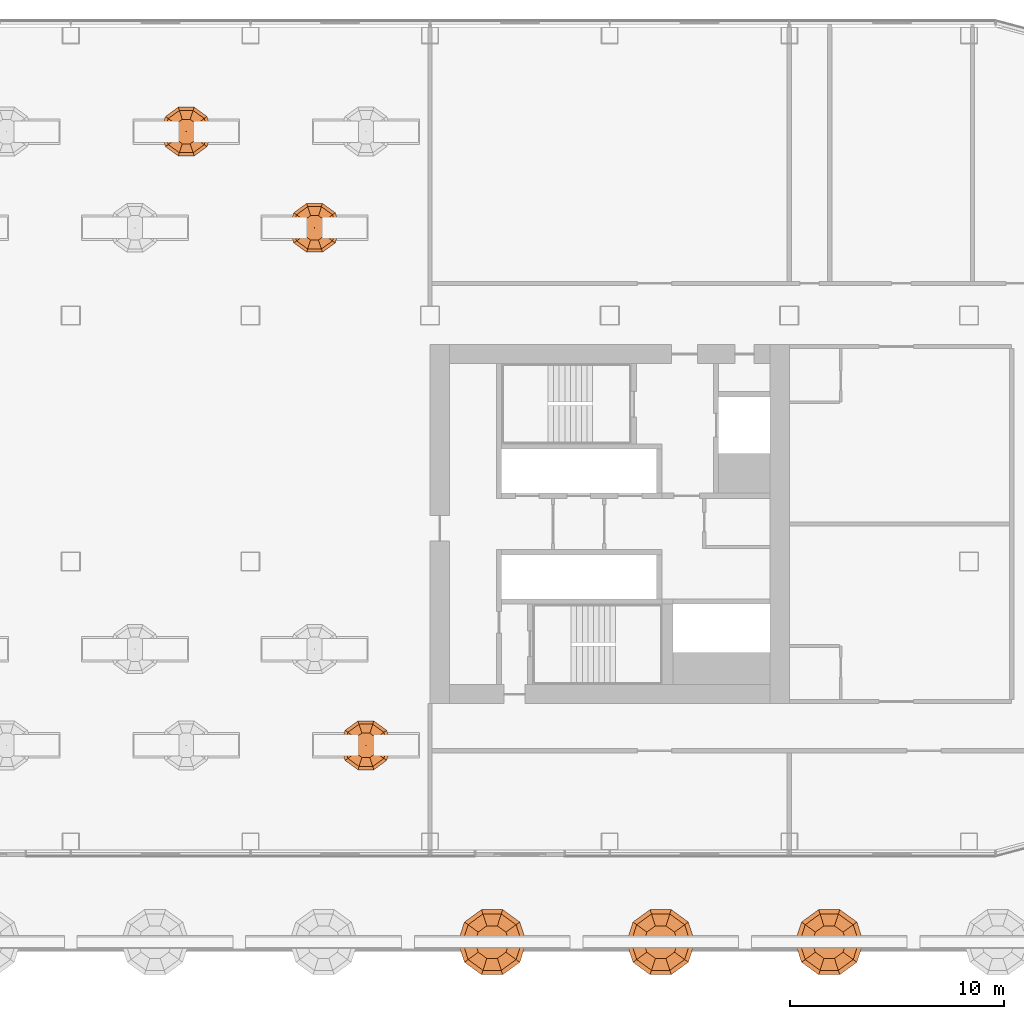
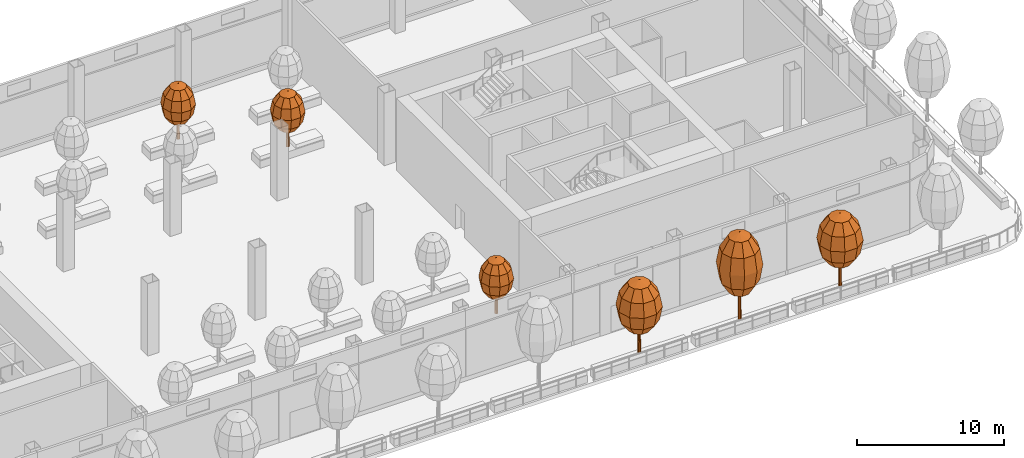
# One storey, part 42 of 44: 6 geographic elements.
"""IFC4 building model written with IfcOpenShell, lengths in metres."""

from ifc_helpers import new_model, si_unit, direction, frame, origin, place, context, subcontext, project, spatial, triangles, material, type_object, element, save


model = new_model("IFC4")

# Units and contexts
model_context = context("Model", 3, precision=1e-05, world=origin(), true_north=direction((0.0, 1.0)))
body_context = subcontext(model_context, "Body", "Model", "MODEL_VIEW")
ifc_project = project(units=[si_unit("LENGTHUNIT", "METRE"), si_unit("AREAUNIT", "SQUARE_METRE"), si_unit("VOLUMEUNIT", "CUBIC_METRE"), si_unit("PLANEANGLEUNIT", "RADIAN"), si_unit("MASSUNIT", "GRAM", prefix="KILO")], contexts=[model_context])

# Site, building, storey
site_placement = place(None, origin())
site = spatial("IfcSite", under=ifc_project, at=site_placement, CompositionType="ELEMENT")
building_placement = place(site_placement, origin())
building = spatial("IfcBuilding", under=site, at=building_placement, Name="Hakoniwa Tower and Hamabe Station Hall", CompositionType="ELEMENT")
storey_placement = place(building_placement, frame((0.0, 0.0, 69.0)))
storey = spatial("IfcBuildingStorey", under=building, at=storey_placement, Name="L19", CompositionType="ELEMENT", Elevation=69.0)

# Geographic elements
ifc_material_1 = material(Name="Tree foliage")
geographic_element_type_1 = type_object("IfcGeographicElementType", Name="Camellia 4.6 m", PredefinedType="USERDEFINED", material=ifc_material_1)
geographic_element_1_placement = place(storey_placement, frame((11.39990234375, 13.85009765625, 0.60009765625)))
element("IfcGeographicElement", 1, at=geographic_element_1_placement, inside=storey, type_object=geographic_element_type_1, Name="Camellia 4-6 m", ObjectType="TREE", PredefinedType="USERDEFINED", context=body_context, shape_type="Tessellation", body=[
    triangles([(0.125, 0.0, 0.0), (0.08837890625, 0.08837890625, 0.0), (0.0, 0.125, 0.0), (-0.08837890625, 0.08837890625, 0.0), (-0.125, 0.0, 0.0), (-0.08837890625, -0.08837890625, 0.0), (0.0, -0.125, 0.0), (0.08837890625, -0.08837890625, 0.0), (0.074951171875, 0.0, 2.778564453125), (0.052978515625, 0.052978515625, 2.778564453125), (0.0, 0.074951171875, 2.778564453125), (-0.052978515625, 0.052978515625, 2.778564453125), (-0.074951171875, 0.0, 2.778564453125), (-0.052978515625, -0.052978515625, 2.778564453125), (0.0, -0.074951171875, 2.778564453125), (0.052978515625, -0.052978515625, 2.778564453125), (0.0, 0.0, 0.0), (0.0, 0.0, 2.778564453125)], [[1, 2, 10], [1, 10, 9], [17, 2, 1], [18, 9, 10], [2, 3, 11], [2, 11, 10], [17, 3, 2], [18, 10, 11], [3, 4, 12], [3, 12, 11], [17, 4, 3], [18, 11, 12], [4, 5, 13], [4, 13, 12], [17, 5, 4], [18, 12, 13], [5, 6, 14], [5, 14, 13], [17, 6, 5], [18, 13, 14], [6, 7, 15], [6, 15, 14], [17, 7, 6], [18, 14, 15], [7, 8, 16], [7, 16, 15], [17, 8, 7], [18, 15, 16], [8, 1, 9], [8, 9, 16], [17, 1, 8], [18, 16, 9]], closed=True),
    triangles([(0.0, 0.0, 1.2880859375), (0.599853515625, 0.0, 1.510009765625), (0.4853515625, 0.3525390625, 1.510009765625), (0.185302734375, 0.570556640625, 1.510009765625), (-0.185302734375, 0.570556640625, 1.510009765625), (-0.4853515625, 0.3525390625, 1.510009765625), (-0.599853515625, 0.0, 1.510009765625), (-0.4853515625, -0.3525390625, 1.510009765625), (-0.185302734375, -0.570556640625, 1.510009765625), (0.185302734375, -0.570556640625, 1.510009765625), (0.4853515625, -0.3525390625, 1.510009765625), (1.039306640625, 0.0, 2.115966796875), (0.8408203125, 0.61083984375, 2.115966796875), (0.321044921875, 0.98828125, 2.115966796875), (-0.321044921875, 0.98828125, 2.115966796875), (-0.8408203125, 0.61083984375, 2.115966796875), (-1.039306640625, 0.0, 2.115966796875), (-0.8408203125, -0.61083984375, 2.115966796875), (-0.321044921875, -0.98828125, 2.115966796875), (0.321044921875, -0.98828125, 2.115966796875), (0.8408203125, -0.61083984375, 2.115966796875), (1.199951171875, 0.0, 2.944091796875), (0.970703125, 0.705322265625, 2.944091796875), (0.370849609375, 1.14111328125, 2.944091796875), (-0.370849609375, 1.14111328125, 2.944091796875), (-0.970703125, 0.705322265625, 2.944091796875), (-1.199951171875, 0.0, 2.944091796875), (-0.970703125, -0.705322265625, 2.944091796875), (-0.370849609375, -1.14111328125, 2.944091796875), (0.370849609375, -1.14111328125, 2.944091796875), (0.970703125, -0.705322265625, 2.944091796875), (1.039306640625, 0.0, 3.77197265625), (0.8408203125, 0.61083984375, 3.77197265625), (0.321044921875, 0.98828125, 3.77197265625), (-0.321044921875, 0.98828125, 3.77197265625), (-0.8408203125, 0.61083984375, 3.77197265625), (-1.039306640625, 0.0, 3.77197265625), (-0.8408203125, -0.61083984375, 3.77197265625), (-0.321044921875, -0.98828125, 3.77197265625), (0.321044921875, -0.98828125, 3.77197265625), (0.8408203125, -0.61083984375, 3.77197265625), (0.599853515625, 0.0, 4.378173828125), (0.4853515625, 0.3525390625, 4.378173828125), (0.185302734375, 0.570556640625, 4.378173828125), (-0.185302734375, 0.570556640625, 4.378173828125), (-0.4853515625, 0.3525390625, 4.378173828125), (-0.599853515625, 0.0, 4.378173828125), (-0.4853515625, -0.3525390625, 4.378173828125), (-0.185302734375, -0.570556640625, 4.378173828125), (0.185302734375, -0.570556640625, 4.378173828125), (0.4853515625, -0.3525390625, 4.378173828125), (0.0, 0.0, 4.60009765625)], [[1, 3, 2], [1, 4, 3], [1, 5, 4], [1, 6, 5], [1, 7, 6], [1, 8, 7], [1, 9, 8], [1, 10, 9], [1, 11, 10], [1, 2, 11], [2, 3, 13], [2, 13, 12], [3, 4, 14], [3, 14, 13], [4, 5, 15], [4, 15, 14], [5, 6, 16], [5, 16, 15], [6, 7, 17], [6, 17, 16], [7, 8, 18], [7, 18, 17], [8, 9, 19], [8, 19, 18], [9, 10, 20], [9, 20, 19], [10, 11, 21], [10, 21, 20], [11, 2, 12], [11, 12, 21], [12, 13, 23], [12, 23, 22], [13, 14, 24], [13, 24, 23], [14, 15, 25], [14, 25, 24], [15, 16, 26], [15, 26, 25], [16, 17, 27], [16, 27, 26], [17, 18, 28], [17, 28, 27], [18, 19, 29], [18, 29, 28], [19, 20, 30], [19, 30, 29], [20, 21, 31], [20, 31, 30], [21, 12, 22], [21, 22, 31], [22, 23, 33], [22, 33, 32], [23, 24, 34], [23, 34, 33], [24, 25, 35], [24, 35, 34], [25, 26, 36], [25, 36, 35], [26, 27, 37], [26, 37, 36], [27, 28, 38], [27, 38, 37], [28, 29, 39], [28, 39, 38], [29, 30, 40], [29, 40, 39], [30, 31, 41], [30, 41, 40], [31, 22, 32], [31, 32, 41], [32, 33, 43], [32, 43, 42], [33, 34, 44], [33, 44, 43], [34, 35, 45], [34, 45, 44], [35, 36, 46], [35, 46, 45], [36, 37, 47], [36, 47, 46], [37, 38, 48], [37, 48, 47], [38, 39, 49], [38, 49, 48], [39, 40, 50], [39, 50, 49], [40, 41, 51], [40, 51, 50], [41, 32, 42], [41, 42, 51], [52, 42, 43], [52, 43, 44], [52, 44, 45], [52, 45, 46], [52, 46, 47], [52, 47, 48], [52, 48, 49], [52, 49, 50], [52, 50, 51], [52, 51, 42]], closed=True),
])
geographic_element_2_placement = place(storey_placement, frame((5.39990234375, 18.35009765625, 0.60009765625)))
element("IfcGeographicElement", 2, at=geographic_element_2_placement, inside=storey, type_object=geographic_element_type_1, Name="Camellia 4-6 m", ObjectType="TREE", PredefinedType="USERDEFINED", context=body_context, shape_type="Tessellation", body=[
    triangles([(0.125, 0.0, 0.0), (0.08837890625, 0.08837890625, 0.0), (0.0, 0.125, 0.0), (-0.08837890625, 0.08837890625, 0.0), (-0.125, 0.0, 0.0), (-0.08837890625, -0.08837890625, 0.0), (0.0, -0.125, 0.0), (0.08837890625, -0.08837890625, 0.0), (0.074951171875, 0.0, 2.778564453125), (0.052978515625, 0.052978515625, 2.778564453125), (0.0, 0.074951171875, 2.778564453125), (-0.052978515625, 0.052978515625, 2.778564453125), (-0.074951171875, 0.0, 2.778564453125), (-0.052978515625, -0.052978515625, 2.778564453125), (0.0, -0.074951171875, 2.778564453125), (0.052978515625, -0.052978515625, 2.778564453125), (0.0, 0.0, 0.0), (0.0, 0.0, 2.778564453125)], [[1, 2, 10], [1, 10, 9], [17, 2, 1], [18, 9, 10], [2, 3, 11], [2, 11, 10], [17, 3, 2], [18, 10, 11], [3, 4, 12], [3, 12, 11], [17, 4, 3], [18, 11, 12], [4, 5, 13], [4, 13, 12], [17, 5, 4], [18, 12, 13], [5, 6, 14], [5, 14, 13], [17, 6, 5], [18, 13, 14], [6, 7, 15], [6, 15, 14], [17, 7, 6], [18, 14, 15], [7, 8, 16], [7, 16, 15], [17, 8, 7], [18, 15, 16], [8, 1, 9], [8, 9, 16], [17, 1, 8], [18, 16, 9]], closed=True),
    triangles([(0.0, 0.0, 1.2880859375), (0.599853515625, 0.0, 1.510009765625), (0.4853515625, 0.3525390625, 1.510009765625), (0.185302734375, 0.570556640625, 1.510009765625), (-0.185302734375, 0.570556640625, 1.510009765625), (-0.4853515625, 0.3525390625, 1.510009765625), (-0.599853515625, 0.0, 1.510009765625), (-0.4853515625, -0.3525390625, 1.510009765625), (-0.185302734375, -0.570556640625, 1.510009765625), (0.185302734375, -0.570556640625, 1.510009765625), (0.4853515625, -0.3525390625, 1.510009765625), (1.039306640625, 0.0, 2.115966796875), (0.8408203125, 0.61083984375, 2.115966796875), (0.321044921875, 0.98828125, 2.115966796875), (-0.321044921875, 0.98828125, 2.115966796875), (-0.8408203125, 0.61083984375, 2.115966796875), (-1.039306640625, 0.0, 2.115966796875), (-0.8408203125, -0.61083984375, 2.115966796875), (-0.321044921875, -0.98828125, 2.115966796875), (0.321044921875, -0.98828125, 2.115966796875), (0.8408203125, -0.61083984375, 2.115966796875), (1.199951171875, 0.0, 2.944091796875), (0.970703125, 0.705322265625, 2.944091796875), (0.370849609375, 1.14111328125, 2.944091796875), (-0.370849609375, 1.14111328125, 2.944091796875), (-0.970703125, 0.705322265625, 2.944091796875), (-1.199951171875, 0.0, 2.944091796875), (-0.970703125, -0.705322265625, 2.944091796875), (-0.370849609375, -1.14111328125, 2.944091796875), (0.370849609375, -1.14111328125, 2.944091796875), (0.970703125, -0.705322265625, 2.944091796875), (1.039306640625, 0.0, 3.77197265625), (0.8408203125, 0.61083984375, 3.77197265625), (0.321044921875, 0.98828125, 3.77197265625), (-0.321044921875, 0.98828125, 3.77197265625), (-0.8408203125, 0.61083984375, 3.77197265625), (-1.039306640625, 0.0, 3.77197265625), (-0.8408203125, -0.61083984375, 3.77197265625), (-0.321044921875, -0.98828125, 3.77197265625), (0.321044921875, -0.98828125, 3.77197265625), (0.8408203125, -0.61083984375, 3.77197265625), (0.599853515625, 0.0, 4.378173828125), (0.4853515625, 0.3525390625, 4.378173828125), (0.185302734375, 0.570556640625, 4.378173828125), (-0.185302734375, 0.570556640625, 4.378173828125), (-0.4853515625, 0.3525390625, 4.378173828125), (-0.599853515625, 0.0, 4.378173828125), (-0.4853515625, -0.3525390625, 4.378173828125), (-0.185302734375, -0.570556640625, 4.378173828125), (0.185302734375, -0.570556640625, 4.378173828125), (0.4853515625, -0.3525390625, 4.378173828125), (0.0, 0.0, 4.60009765625)], [[1, 3, 2], [1, 4, 3], [1, 5, 4], [1, 6, 5], [1, 7, 6], [1, 8, 7], [1, 9, 8], [1, 10, 9], [1, 11, 10], [1, 2, 11], [2, 3, 13], [2, 13, 12], [3, 4, 14], [3, 14, 13], [4, 5, 15], [4, 15, 14], [5, 6, 16], [5, 16, 15], [6, 7, 17], [6, 17, 16], [7, 8, 18], [7, 18, 17], [8, 9, 19], [8, 19, 18], [9, 10, 20], [9, 20, 19], [10, 11, 21], [10, 21, 20], [11, 2, 12], [11, 12, 21], [12, 13, 23], [12, 23, 22], [13, 14, 24], [13, 24, 23], [14, 15, 25], [14, 25, 24], [15, 16, 26], [15, 26, 25], [16, 17, 27], [16, 27, 26], [17, 18, 28], [17, 28, 27], [18, 19, 29], [18, 29, 28], [19, 20, 30], [19, 30, 29], [20, 21, 31], [20, 31, 30], [21, 12, 22], [21, 22, 31], [22, 23, 33], [22, 33, 32], [23, 24, 34], [23, 34, 33], [24, 25, 35], [24, 35, 34], [25, 26, 36], [25, 36, 35], [26, 27, 37], [26, 37, 36], [27, 28, 38], [27, 38, 37], [28, 29, 39], [28, 39, 38], [29, 30, 40], [29, 40, 39], [30, 31, 41], [30, 41, 40], [31, 22, 32], [31, 32, 41], [32, 33, 43], [32, 43, 42], [33, 34, 44], [33, 44, 43], [34, 35, 45], [34, 45, 44], [35, 36, 46], [35, 46, 45], [36, 37, 47], [36, 47, 46], [37, 38, 48], [37, 48, 47], [38, 39, 49], [38, 49, 48], [39, 40, 50], [39, 50, 49], [40, 41, 51], [40, 51, 50], [41, 32, 42], [41, 42, 51], [52, 42, 43], [52, 43, 44], [52, 44, 45], [52, 45, 46], [52, 46, 47], [52, 47, 48], [52, 48, 49], [52, 49, 50], [52, 50, 51], [52, 51, 42]], closed=True),
])
geographic_element_3_placement = place(storey_placement, frame((13.800048828125, -10.35009765625, 0.60009765625)))
element("IfcGeographicElement", 3, at=geographic_element_3_placement, inside=storey, type_object=geographic_element_type_1, Name="Camellia 4-6 m", ObjectType="TREE", PredefinedType="USERDEFINED", context=body_context, shape_type="Tessellation", body=[
    triangles([(0.125, 0.0, 0.0), (0.08837890625, 0.08837890625, 0.0), (0.0, 0.125, 0.0), (-0.08837890625, 0.08837890625, 0.0), (-0.125, 0.0, 0.0), (-0.08837890625, -0.08837890625, 0.0), (0.0, -0.125, 0.0), (0.08837890625, -0.08837890625, 0.0), (0.074951171875, 0.0, 2.778564453125), (0.052978515625, 0.052978515625, 2.778564453125), (0.0, 0.074951171875, 2.778564453125), (-0.052978515625, 0.052978515625, 2.778564453125), (-0.074951171875, 0.0, 2.778564453125), (-0.052978515625, -0.052978515625, 2.778564453125), (0.0, -0.074951171875, 2.778564453125), (0.052978515625, -0.052978515625, 2.778564453125), (0.0, 0.0, 0.0), (0.0, 0.0, 2.778564453125)], [[1, 2, 10], [1, 10, 9], [17, 2, 1], [18, 9, 10], [2, 3, 11], [2, 11, 10], [17, 3, 2], [18, 10, 11], [3, 4, 12], [3, 12, 11], [17, 4, 3], [18, 11, 12], [4, 5, 13], [4, 13, 12], [17, 5, 4], [18, 12, 13], [5, 6, 14], [5, 14, 13], [17, 6, 5], [18, 13, 14], [6, 7, 15], [6, 15, 14], [17, 7, 6], [18, 14, 15], [7, 8, 16], [7, 16, 15], [17, 8, 7], [18, 15, 16], [8, 1, 9], [8, 9, 16], [17, 1, 8], [18, 16, 9]], closed=True),
    triangles([(0.0, 0.0, 1.2880859375), (0.599853515625, 0.0, 1.510009765625), (0.4853515625, 0.3525390625, 1.510009765625), (0.185302734375, 0.570556640625, 1.510009765625), (-0.185302734375, 0.570556640625, 1.510009765625), (-0.4853515625, 0.3525390625, 1.510009765625), (-0.599853515625, 0.0, 1.510009765625), (-0.4853515625, -0.3525390625, 1.510009765625), (-0.185302734375, -0.570556640625, 1.510009765625), (0.185302734375, -0.570556640625, 1.510009765625), (0.4853515625, -0.3525390625, 1.510009765625), (1.039306640625, 0.0, 2.115966796875), (0.8408203125, 0.61083984375, 2.115966796875), (0.321044921875, 0.98828125, 2.115966796875), (-0.321044921875, 0.98828125, 2.115966796875), (-0.8408203125, 0.61083984375, 2.115966796875), (-1.039306640625, 0.0, 2.115966796875), (-0.8408203125, -0.61083984375, 2.115966796875), (-0.321044921875, -0.98828125, 2.115966796875), (0.321044921875, -0.98828125, 2.115966796875), (0.8408203125, -0.61083984375, 2.115966796875), (1.199951171875, 0.0, 2.944091796875), (0.970703125, 0.705322265625, 2.944091796875), (0.370849609375, 1.14111328125, 2.944091796875), (-0.370849609375, 1.14111328125, 2.944091796875), (-0.970703125, 0.705322265625, 2.944091796875), (-1.199951171875, 0.0, 2.944091796875), (-0.970703125, -0.705322265625, 2.944091796875), (-0.370849609375, -1.14111328125, 2.944091796875), (0.370849609375, -1.14111328125, 2.944091796875), (0.970703125, -0.705322265625, 2.944091796875), (1.039306640625, 0.0, 3.77197265625), (0.8408203125, 0.61083984375, 3.77197265625), (0.321044921875, 0.98828125, 3.77197265625), (-0.321044921875, 0.98828125, 3.77197265625), (-0.8408203125, 0.61083984375, 3.77197265625), (-1.039306640625, 0.0, 3.77197265625), (-0.8408203125, -0.61083984375, 3.77197265625), (-0.321044921875, -0.98828125, 3.77197265625), (0.321044921875, -0.98828125, 3.77197265625), (0.8408203125, -0.61083984375, 3.77197265625), (0.599853515625, 0.0, 4.378173828125), (0.4853515625, 0.3525390625, 4.378173828125), (0.185302734375, 0.570556640625, 4.378173828125), (-0.185302734375, 0.570556640625, 4.378173828125), (-0.4853515625, 0.3525390625, 4.378173828125), (-0.599853515625, 0.0, 4.378173828125), (-0.4853515625, -0.3525390625, 4.378173828125), (-0.185302734375, -0.570556640625, 4.378173828125), (0.185302734375, -0.570556640625, 4.378173828125), (0.4853515625, -0.3525390625, 4.378173828125), (0.0, 0.0, 4.60009765625)], [[1, 3, 2], [1, 4, 3], [1, 5, 4], [1, 6, 5], [1, 7, 6], [1, 8, 7], [1, 9, 8], [1, 10, 9], [1, 11, 10], [1, 2, 11], [2, 3, 13], [2, 13, 12], [3, 4, 14], [3, 14, 13], [4, 5, 15], [4, 15, 14], [5, 6, 16], [5, 16, 15], [6, 7, 17], [6, 17, 16], [7, 8, 18], [7, 18, 17], [8, 9, 19], [8, 19, 18], [9, 10, 20], [9, 20, 19], [10, 11, 21], [10, 21, 20], [11, 2, 12], [11, 12, 21], [12, 13, 23], [12, 23, 22], [13, 14, 24], [13, 24, 23], [14, 15, 25], [14, 25, 24], [15, 16, 26], [15, 26, 25], [16, 17, 27], [16, 27, 26], [17, 18, 28], [17, 28, 27], [18, 19, 29], [18, 29, 28], [19, 20, 30], [19, 30, 29], [20, 21, 31], [20, 31, 30], [21, 12, 22], [21, 22, 31], [22, 23, 33], [22, 33, 32], [23, 24, 34], [23, 34, 33], [24, 25, 35], [24, 35, 34], [25, 26, 36], [25, 36, 35], [26, 27, 37], [26, 37, 36], [27, 28, 38], [27, 38, 37], [28, 29, 39], [28, 39, 38], [29, 30, 40], [29, 40, 39], [30, 31, 41], [30, 41, 40], [31, 22, 32], [31, 32, 41], [32, 33, 43], [32, 43, 42], [33, 34, 44], [33, 44, 43], [34, 35, 45], [34, 45, 44], [35, 36, 46], [35, 46, 45], [36, 37, 47], [36, 47, 46], [37, 38, 48], [37, 48, 47], [38, 39, 49], [38, 49, 48], [39, 40, 50], [39, 50, 49], [40, 41, 51], [40, 51, 50], [41, 32, 42], [41, 42, 51], [52, 42, 43], [52, 43, 44], [52, 44, 45], [52, 45, 46], [52, 46, 47], [52, 47, 48], [52, 48, 49], [52, 49, 50], [52, 50, 51], [52, 51, 42]], closed=True),
])
ifc_material_2 = material(Name="Tree foliage")
geographic_element_type_2 = type_object("IfcGeographicElementType", Name="Japanese maple 7.2 m", PredefinedType="USERDEFINED", material=ifc_material_2)
geographic_element_4_placement = place(storey_placement, frame((27.583984375, -19.551025390625, 0.89990234375)))
element("IfcGeographicElement", 4, at=geographic_element_4_placement, inside=storey, type_object=geographic_element_type_2, Name="Japanese maple 7-2 m", ObjectType="TREE", PredefinedType="USERDEFINED", context=body_context, shape_type="Tessellation", body=[
    triangles([(0.125, 0.0, 0.0), (0.08837890625, 0.08837890625, 0.0), (0.0, 0.125, 0.0), (-0.08837890625, 0.08837890625, 0.0), (-0.125, 0.0, 0.0), (-0.08837890625, -0.08837890625, 0.0), (0.0, -0.125, 0.0), (0.08837890625, -0.08837890625, 0.0), (0.074951171875, 0.0, 4.348876953125), (0.052978515625, 0.052978515625, 4.348876953125), (0.0, 0.074951171875, 4.348876953125), (-0.052978515625, 0.052978515625, 4.348876953125), (-0.074951171875, 0.0, 4.348876953125), (-0.052978515625, -0.052978515625, 4.348876953125), (0.0, -0.074951171875, 4.348876953125), (0.052978515625, -0.052978515625, 4.348876953125), (0.0, 0.0, 0.0), (0.0, 0.0, 4.348876953125)], [[1, 2, 10], [1, 10, 9], [17, 2, 1], [18, 9, 10], [2, 3, 11], [2, 11, 10], [17, 3, 2], [18, 10, 11], [3, 4, 12], [3, 12, 11], [17, 4, 3], [18, 11, 12], [4, 5, 13], [4, 13, 12], [17, 5, 4], [18, 12, 13], [5, 6, 14], [5, 14, 13], [17, 6, 5], [18, 13, 14], [6, 7, 15], [6, 15, 14], [17, 7, 6], [18, 14, 15], [7, 8, 16], [7, 16, 15], [17, 8, 7], [18, 15, 16], [8, 1, 9], [8, 9, 16], [17, 1, 8], [18, 16, 9]], closed=True),
    triangles([(0.0, 0.0, 2.015869140625), (0.800048828125, 0.0, 2.36328125), (0.647216796875, 0.47021484375, 2.36328125), (0.247314453125, 0.7607421875, 2.36328125), (-0.247314453125, 0.7607421875, 2.36328125), (-0.647216796875, 0.47021484375, 2.36328125), (-0.800048828125, 0.0, 2.36328125), (-0.647216796875, -0.47021484375, 2.36328125), (-0.247314453125, -0.7607421875, 2.36328125), (0.247314453125, -0.7607421875, 2.36328125), (0.647216796875, -0.47021484375, 2.36328125), (1.385498046875, 0.0, 3.31201171875), (1.12109375, 0.814453125, 3.31201171875), (0.42822265625, 1.31787109375, 3.31201171875), (-0.42822265625, 1.31787109375, 3.31201171875), (-1.12109375, 0.814453125, 3.31201171875), (-1.385498046875, 0.0, 3.31201171875), (-1.12109375, -0.814453125, 3.31201171875), (-0.42822265625, -1.31787109375, 3.31201171875), (0.42822265625, -1.31787109375, 3.31201171875), (1.12109375, -0.814453125, 3.31201171875), (1.60009765625, 0.0, 4.60791015625), (1.29443359375, 0.9404296875, 4.60791015625), (0.494384765625, 1.521728515625, 4.60791015625), (-0.494384765625, 1.521728515625, 4.60791015625), (-1.29443359375, 0.9404296875, 4.60791015625), (-1.60009765625, 0.0, 4.60791015625), (-1.29443359375, -0.9404296875, 4.60791015625), (-0.494384765625, -1.521728515625, 4.60791015625), (0.494384765625, -1.521728515625, 4.60791015625), (1.29443359375, -0.9404296875, 4.60791015625), (1.385498046875, 0.0, 5.904052734375), (1.12109375, 0.814453125, 5.904052734375), (0.42822265625, 1.31787109375, 5.904052734375), (-0.42822265625, 1.31787109375, 5.904052734375), (-1.12109375, 0.814453125, 5.904052734375), (-1.385498046875, 0.0, 5.904052734375), (-1.12109375, -0.814453125, 5.904052734375), (-0.42822265625, -1.31787109375, 5.904052734375), (0.42822265625, -1.31787109375, 5.904052734375), (1.12109375, -0.814453125, 5.904052734375), (0.800048828125, 0.0, 6.852783203125), (0.647216796875, 0.47021484375, 6.852783203125), (0.247314453125, 0.7607421875, 6.852783203125), (-0.247314453125, 0.7607421875, 6.852783203125), (-0.647216796875, 0.47021484375, 6.852783203125), (-0.800048828125, 0.0, 6.852783203125), (-0.647216796875, -0.47021484375, 6.852783203125), (-0.247314453125, -0.7607421875, 6.852783203125), (0.247314453125, -0.7607421875, 6.852783203125), (0.647216796875, -0.47021484375, 6.852783203125), (0.0, 0.0, 7.199951171875)], [[1, 3, 2], [1, 4, 3], [1, 5, 4], [1, 6, 5], [1, 7, 6], [1, 8, 7], [1, 9, 8], [1, 10, 9], [1, 11, 10], [1, 2, 11], [2, 3, 13], [2, 13, 12], [3, 4, 14], [3, 14, 13], [4, 5, 15], [4, 15, 14], [5, 6, 16], [5, 16, 15], [6, 7, 17], [6, 17, 16], [7, 8, 18], [7, 18, 17], [8, 9, 19], [8, 19, 18], [9, 10, 20], [9, 20, 19], [10, 11, 21], [10, 21, 20], [11, 2, 12], [11, 12, 21], [12, 13, 23], [12, 23, 22], [13, 14, 24], [13, 24, 23], [14, 15, 25], [14, 25, 24], [15, 16, 26], [15, 26, 25], [16, 17, 27], [16, 27, 26], [17, 18, 28], [17, 28, 27], [18, 19, 29], [18, 29, 28], [19, 20, 30], [19, 30, 29], [20, 21, 31], [20, 31, 30], [21, 12, 22], [21, 22, 31], [22, 23, 33], [22, 33, 32], [23, 24, 34], [23, 34, 33], [24, 25, 35], [24, 35, 34], [25, 26, 36], [25, 36, 35], [26, 27, 37], [26, 37, 36], [27, 28, 38], [27, 38, 37], [28, 29, 39], [28, 39, 38], [29, 30, 40], [29, 40, 39], [30, 31, 41], [30, 41, 40], [31, 22, 32], [31, 32, 41], [32, 33, 43], [32, 43, 42], [33, 34, 44], [33, 44, 43], [34, 35, 45], [34, 45, 44], [35, 36, 46], [35, 46, 45], [36, 37, 47], [36, 47, 46], [37, 38, 48], [37, 48, 47], [38, 39, 49], [38, 49, 48], [39, 40, 50], [39, 50, 49], [40, 41, 51], [40, 51, 50], [41, 32, 42], [41, 42, 51], [52, 42, 43], [52, 43, 44], [52, 44, 45], [52, 45, 46], [52, 46, 47], [52, 47, 48], [52, 48, 49], [52, 49, 50], [52, 50, 51], [52, 51, 42]], closed=True),
])
ifc_material_3 = material(Name="Tree foliage")
geographic_element_type_3 = type_object("IfcGeographicElementType", Name="Osmanthus 6.0 m", PredefinedType="USERDEFINED", material=ifc_material_3)
geographic_element_5_placement = place(storey_placement, frame((19.702880859375, -19.551025390625, 0.89990234375)))
element("IfcGeographicElement", 5, at=geographic_element_5_placement, inside=storey, type_object=geographic_element_type_3, Name="Osmanthus 6-0 m", ObjectType="TREE", PredefinedType="USERDEFINED", context=body_context, shape_type="Tessellation", body=[
    triangles([(0.125, 0.0, 0.0), (0.08837890625, 0.08837890625, 0.0), (0.0, 0.125, 0.0), (-0.08837890625, 0.08837890625, 0.0), (-0.125, 0.0, 0.0), (-0.08837890625, -0.08837890625, 0.0), (0.0, -0.125, 0.0), (0.08837890625, -0.08837890625, 0.0), (0.074951171875, 0.0, 3.6240234375), (0.052978515625, 0.052978515625, 3.6240234375), (0.0, 0.074951171875, 3.6240234375), (-0.052978515625, 0.052978515625, 3.6240234375), (-0.074951171875, 0.0, 3.6240234375), (-0.052978515625, -0.052978515625, 3.6240234375), (0.0, -0.074951171875, 3.6240234375), (0.052978515625, -0.052978515625, 3.6240234375), (0.0, 0.0, 0.0), (0.0, 0.0, 3.6240234375)], [[1, 2, 10], [1, 10, 9], [17, 2, 1], [18, 9, 10], [2, 3, 11], [2, 11, 10], [17, 3, 2], [18, 10, 11], [3, 4, 12], [3, 12, 11], [17, 4, 3], [18, 11, 12], [4, 5, 13], [4, 13, 12], [17, 5, 4], [18, 12, 13], [5, 6, 14], [5, 14, 13], [17, 6, 5], [18, 13, 14], [6, 7, 15], [6, 15, 14], [17, 7, 6], [18, 14, 15], [7, 8, 16], [7, 16, 15], [17, 8, 7], [18, 15, 16], [8, 1, 9], [8, 9, 16], [17, 1, 8], [18, 16, 9]], closed=True),
    triangles([(0.0, 0.0, 1.679931640625), (0.800048828125, 0.0, 1.969482421875), (0.647216796875, 0.47021484375, 1.969482421875), (0.247314453125, 0.7607421875, 1.969482421875), (-0.247314453125, 0.7607421875, 1.969482421875), (-0.647216796875, 0.47021484375, 1.969482421875), (-0.800048828125, 0.0, 1.969482421875), (-0.647216796875, -0.47021484375, 1.969482421875), (-0.247314453125, -0.7607421875, 1.969482421875), (0.247314453125, -0.7607421875, 1.969482421875), (0.647216796875, -0.47021484375, 1.969482421875), (1.385498046875, 0.0, 2.760009765625), (1.12109375, 0.814453125, 2.760009765625), (0.42822265625, 1.31787109375, 2.760009765625), (-0.42822265625, 1.31787109375, 2.760009765625), (-1.12109375, 0.814453125, 2.760009765625), (-1.385498046875, 0.0, 2.760009765625), (-1.12109375, -0.814453125, 2.760009765625), (-0.42822265625, -1.31787109375, 2.760009765625), (0.42822265625, -1.31787109375, 2.760009765625), (1.12109375, -0.814453125, 2.760009765625), (1.60009765625, 0.0, 3.840087890625), (1.29443359375, 0.9404296875, 3.840087890625), (0.494384765625, 1.521728515625, 3.840087890625), (-0.494384765625, 1.521728515625, 3.840087890625), (-1.29443359375, 0.9404296875, 3.840087890625), (-1.60009765625, 0.0, 3.840087890625), (-1.29443359375, -0.9404296875, 3.840087890625), (-0.494384765625, -1.521728515625, 3.840087890625), (0.494384765625, -1.521728515625, 3.840087890625), (1.29443359375, -0.9404296875, 3.840087890625), (1.385498046875, 0.0, 4.919921875), (1.12109375, 0.814453125, 4.919921875), (0.42822265625, 1.31787109375, 4.919921875), (-0.42822265625, 1.31787109375, 4.919921875), (-1.12109375, 0.814453125, 4.919921875), (-1.385498046875, 0.0, 4.919921875), (-1.12109375, -0.814453125, 4.919921875), (-0.42822265625, -1.31787109375, 4.919921875), (0.42822265625, -1.31787109375, 4.919921875), (1.12109375, -0.814453125, 4.919921875), (0.800048828125, 0.0, 5.710693359375), (0.647216796875, 0.47021484375, 5.710693359375), (0.247314453125, 0.7607421875, 5.710693359375), (-0.247314453125, 0.7607421875, 5.710693359375), (-0.647216796875, 0.47021484375, 5.710693359375), (-0.800048828125, 0.0, 5.710693359375), (-0.647216796875, -0.47021484375, 5.710693359375), (-0.247314453125, -0.7607421875, 5.710693359375), (0.247314453125, -0.7607421875, 5.710693359375), (0.647216796875, -0.47021484375, 5.710693359375), (0.0, 0.0, 6.0)], [[1, 3, 2], [1, 4, 3], [1, 5, 4], [1, 6, 5], [1, 7, 6], [1, 8, 7], [1, 9, 8], [1, 10, 9], [1, 11, 10], [1, 2, 11], [2, 3, 13], [2, 13, 12], [3, 4, 14], [3, 14, 13], [4, 5, 15], [4, 15, 14], [5, 6, 16], [5, 16, 15], [6, 7, 17], [6, 17, 16], [7, 8, 18], [7, 18, 17], [8, 9, 19], [8, 19, 18], [9, 10, 20], [9, 20, 19], [10, 11, 21], [10, 21, 20], [11, 2, 12], [11, 12, 21], [12, 13, 23], [12, 23, 22], [13, 14, 24], [13, 24, 23], [14, 15, 25], [14, 25, 24], [15, 16, 26], [15, 26, 25], [16, 17, 27], [16, 27, 26], [17, 18, 28], [17, 28, 27], [18, 19, 29], [18, 29, 28], [19, 20, 30], [19, 30, 29], [20, 21, 31], [20, 31, 30], [21, 12, 22], [21, 22, 31], [22, 23, 33], [22, 33, 32], [23, 24, 34], [23, 34, 33], [24, 25, 35], [24, 35, 34], [25, 26, 36], [25, 36, 35], [26, 27, 37], [26, 37, 36], [27, 28, 38], [27, 38, 37], [28, 29, 39], [28, 39, 38], [29, 30, 40], [29, 40, 39], [30, 31, 41], [30, 41, 40], [31, 22, 32], [31, 32, 41], [32, 33, 43], [32, 43, 42], [33, 34, 44], [33, 44, 43], [34, 35, 45], [34, 45, 44], [35, 36, 46], [35, 46, 45], [36, 37, 47], [36, 47, 46], [37, 38, 48], [37, 48, 47], [38, 39, 49], [38, 49, 48], [39, 40, 50], [39, 50, 49], [40, 41, 51], [40, 51, 50], [41, 32, 42], [41, 42, 51], [52, 42, 43], [52, 43, 44], [52, 44, 45], [52, 45, 46], [52, 46, 47], [52, 47, 48], [52, 48, 49], [52, 49, 50], [52, 50, 51], [52, 51, 42]], closed=True),
])
geographic_element_6_placement = place(storey_placement, frame((35.465087890625, -19.551025390625, 0.89990234375)))
element("IfcGeographicElement", 6, at=geographic_element_6_placement, inside=storey, type_object=geographic_element_type_3, Name="Osmanthus 6-0 m", ObjectType="TREE", PredefinedType="USERDEFINED", context=body_context, shape_type="Tessellation", body=[
    triangles([(0.125, 0.0, 0.0), (0.08837890625, 0.08837890625, 0.0), (0.0, 0.125, 0.0), (-0.08837890625, 0.08837890625, 0.0), (-0.125, 0.0, 0.0), (-0.08837890625, -0.08837890625, 0.0), (0.0, -0.125, 0.0), (0.08837890625, -0.08837890625, 0.0), (0.074951171875, 0.0, 3.6240234375), (0.052978515625, 0.052978515625, 3.6240234375), (0.0, 0.074951171875, 3.6240234375), (-0.052978515625, 0.052978515625, 3.6240234375), (-0.074951171875, 0.0, 3.6240234375), (-0.052978515625, -0.052978515625, 3.6240234375), (0.0, -0.074951171875, 3.6240234375), (0.052978515625, -0.052978515625, 3.6240234375), (0.0, 0.0, 0.0), (0.0, 0.0, 3.6240234375)], [[1, 2, 10], [1, 10, 9], [17, 2, 1], [18, 9, 10], [2, 3, 11], [2, 11, 10], [17, 3, 2], [18, 10, 11], [3, 4, 12], [3, 12, 11], [17, 4, 3], [18, 11, 12], [4, 5, 13], [4, 13, 12], [17, 5, 4], [18, 12, 13], [5, 6, 14], [5, 14, 13], [17, 6, 5], [18, 13, 14], [6, 7, 15], [6, 15, 14], [17, 7, 6], [18, 14, 15], [7, 8, 16], [7, 16, 15], [17, 8, 7], [18, 15, 16], [8, 1, 9], [8, 9, 16], [17, 1, 8], [18, 16, 9]], closed=True),
    triangles([(0.0, 0.0, 1.679931640625), (0.800048828125, 0.0, 1.969482421875), (0.647216796875, 0.47021484375, 1.969482421875), (0.247314453125, 0.7607421875, 1.969482421875), (-0.247314453125, 0.7607421875, 1.969482421875), (-0.647216796875, 0.47021484375, 1.969482421875), (-0.800048828125, 0.0, 1.969482421875), (-0.647216796875, -0.47021484375, 1.969482421875), (-0.247314453125, -0.7607421875, 1.969482421875), (0.247314453125, -0.7607421875, 1.969482421875), (0.647216796875, -0.47021484375, 1.969482421875), (1.385498046875, 0.0, 2.760009765625), (1.12109375, 0.814453125, 2.760009765625), (0.42822265625, 1.31787109375, 2.760009765625), (-0.42822265625, 1.31787109375, 2.760009765625), (-1.12109375, 0.814453125, 2.760009765625), (-1.385498046875, 0.0, 2.760009765625), (-1.12109375, -0.814453125, 2.760009765625), (-0.42822265625, -1.31787109375, 2.760009765625), (0.42822265625, -1.31787109375, 2.760009765625), (1.12109375, -0.814453125, 2.760009765625), (1.60009765625, 0.0, 3.840087890625), (1.29443359375, 0.9404296875, 3.840087890625), (0.494384765625, 1.521728515625, 3.840087890625), (-0.494384765625, 1.521728515625, 3.840087890625), (-1.29443359375, 0.9404296875, 3.840087890625), (-1.60009765625, 0.0, 3.840087890625), (-1.29443359375, -0.9404296875, 3.840087890625), (-0.494384765625, -1.521728515625, 3.840087890625), (0.494384765625, -1.521728515625, 3.840087890625), (1.29443359375, -0.9404296875, 3.840087890625), (1.385498046875, 0.0, 4.919921875), (1.12109375, 0.814453125, 4.919921875), (0.42822265625, 1.31787109375, 4.919921875), (-0.42822265625, 1.31787109375, 4.919921875), (-1.12109375, 0.814453125, 4.919921875), (-1.385498046875, 0.0, 4.919921875), (-1.12109375, -0.814453125, 4.919921875), (-0.42822265625, -1.31787109375, 4.919921875), (0.42822265625, -1.31787109375, 4.919921875), (1.12109375, -0.814453125, 4.919921875), (0.800048828125, 0.0, 5.710693359375), (0.647216796875, 0.47021484375, 5.710693359375), (0.247314453125, 0.7607421875, 5.710693359375), (-0.247314453125, 0.7607421875, 5.710693359375), (-0.647216796875, 0.47021484375, 5.710693359375), (-0.800048828125, 0.0, 5.710693359375), (-0.647216796875, -0.47021484375, 5.710693359375), (-0.247314453125, -0.7607421875, 5.710693359375), (0.247314453125, -0.7607421875, 5.710693359375), (0.647216796875, -0.47021484375, 5.710693359375), (0.0, 0.0, 6.0)], [[1, 3, 2], [1, 4, 3], [1, 5, 4], [1, 6, 5], [1, 7, 6], [1, 8, 7], [1, 9, 8], [1, 10, 9], [1, 11, 10], [1, 2, 11], [2, 3, 13], [2, 13, 12], [3, 4, 14], [3, 14, 13], [4, 5, 15], [4, 15, 14], [5, 6, 16], [5, 16, 15], [6, 7, 17], [6, 17, 16], [7, 8, 18], [7, 18, 17], [8, 9, 19], [8, 19, 18], [9, 10, 20], [9, 20, 19], [10, 11, 21], [10, 21, 20], [11, 2, 12], [11, 12, 21], [12, 13, 23], [12, 23, 22], [13, 14, 24], [13, 24, 23], [14, 15, 25], [14, 25, 24], [15, 16, 26], [15, 26, 25], [16, 17, 27], [16, 27, 26], [17, 18, 28], [17, 28, 27], [18, 19, 29], [18, 29, 28], [19, 20, 30], [19, 30, 29], [20, 21, 31], [20, 31, 30], [21, 12, 22], [21, 22, 31], [22, 23, 33], [22, 33, 32], [23, 24, 34], [23, 34, 33], [24, 25, 35], [24, 35, 34], [25, 26, 36], [25, 36, 35], [26, 27, 37], [26, 37, 36], [27, 28, 38], [27, 38, 37], [28, 29, 39], [28, 39, 38], [29, 30, 40], [29, 40, 39], [30, 31, 41], [30, 41, 40], [31, 22, 32], [31, 32, 41], [32, 33, 43], [32, 43, 42], [33, 34, 44], [33, 44, 43], [34, 35, 45], [34, 45, 44], [35, 36, 46], [35, 46, 45], [36, 37, 47], [36, 47, 46], [37, 38, 48], [37, 48, 47], [38, 39, 49], [38, 49, 48], [39, 40, 50], [39, 50, 49], [40, 41, 51], [40, 51, 50], [41, 32, 42], [41, 42, 51], [52, 42, 43], [52, 43, 44], [52, 44, 45], [52, 45, 46], [52, 46, 47], [52, 47, 48], [52, 48, 49], [52, 49, 50], [52, 50, 51], [52, 51, 42]], closed=True),
])

save(model, "model.ifc")
